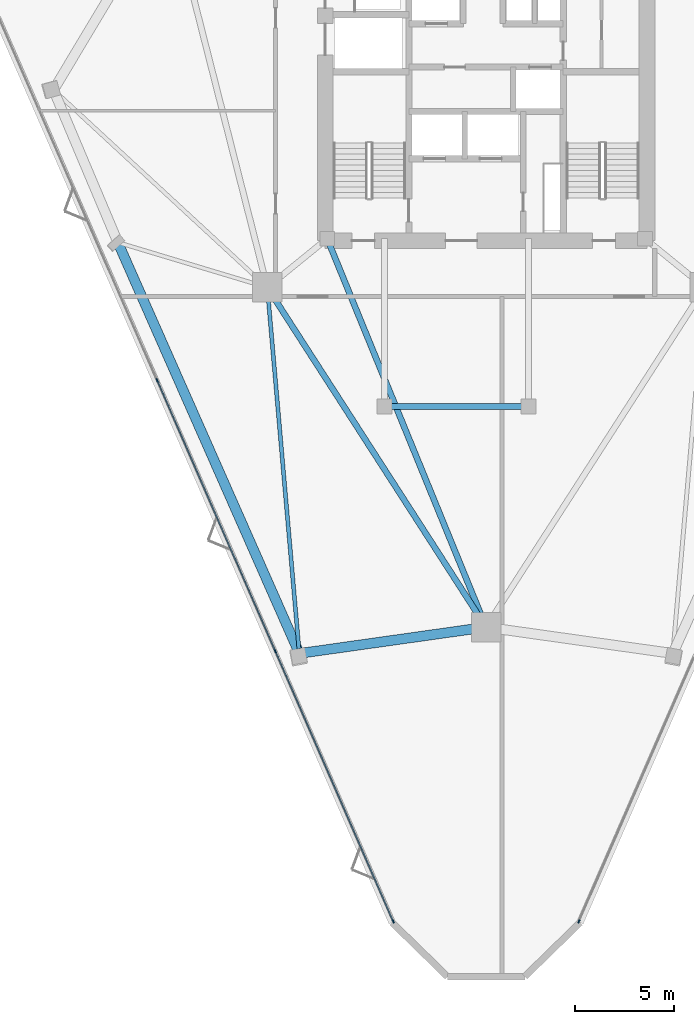
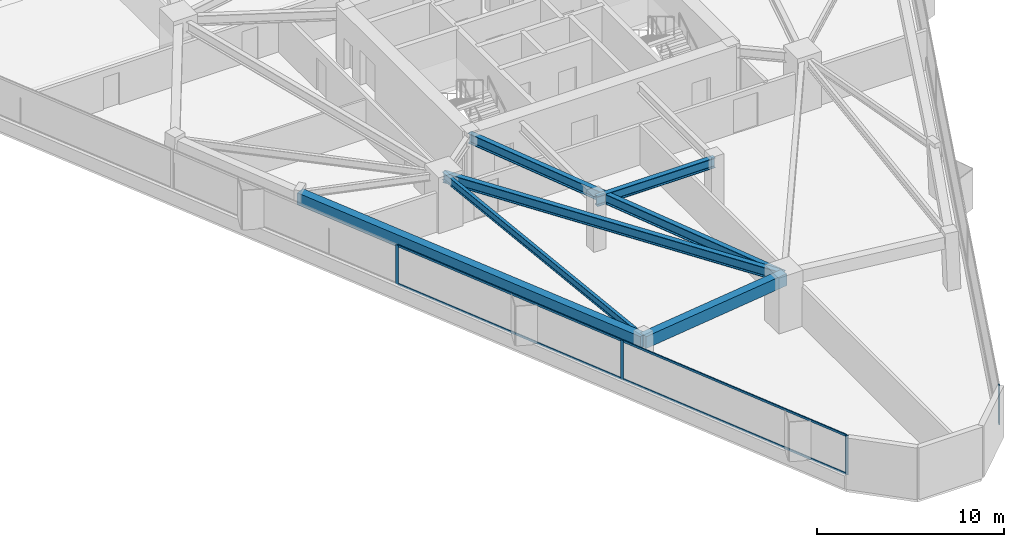
# One storey, part 2 of 16: 8 members, 6 beams, 2 elements without a shape of their own.
"""IFC4 building model written with IfcOpenShell, lengths in metres."""

from ifc_helpers import new_model, si_unit, direction, frame, origin, origin_2d, place, context, subcontext, project, spatial, rectangle, i_section, extrude, material, layer, layer_set, material_profile, profile_set, type_object, element, aggregate, save


model = new_model("IFC4")

# Units and contexts
model_context = context("Model", 3, precision=1e-05, world=origin(), true_north=direction((0.0, 1.0)))
body_context = subcontext(model_context, "Body", "Model", "MODEL_VIEW")
ifc_project = project(units=[si_unit("LENGTHUNIT", "METRE"), si_unit("AREAUNIT", "SQUARE_METRE"), si_unit("VOLUMEUNIT", "CUBIC_METRE"), si_unit("PLANEANGLEUNIT", "RADIAN"), si_unit("MASSUNIT", "GRAM", prefix="KILO")], contexts=[model_context])

# Site, building, storey
site_placement = place(None, origin())
site = spatial("IfcSite", under=ifc_project, at=site_placement, CompositionType="ELEMENT")
building_placement = place(site_placement, origin())
building = spatial("IfcBuilding", under=site, at=building_placement, Name="Talyreon Biosciences Tower", CompositionType="ELEMENT")
storey_placement = place(building_placement, frame((0.0, 0.0, 134.5)))
storey = spatial("IfcBuildingStorey", under=building, at=storey_placement, Name="L35", CompositionType="ELEMENT", Elevation=134.5)

# Curtain wall, members
ifc_material_1 = material(Name="Thermally broken aluminium and low-E glazing", Category="aluminium")
ifc_layer = layer(ifc_material_1, 0.18505859375)
ifc_layer_set = layer_set([ifc_layer], Name="Thermally broken aluminium and low-E glazing")
curtain_wall_type = type_object("IfcCurtainWallType", Name="CurtainWall_Zone3Bioprocess", PredefinedType="NOTDEFINED", material=ifc_layer_set)
curtain_wall_1_placement = place(storey_placement, origin())
curtain_wall_1 = element("IfcCurtainWall", 1, at=curtain_wall_1_placement, inside=storey, type_object=curtain_wall_type, Name="L35 Unitised Curtain Wall FCW-L35-00", PredefinedType="NOTDEFINED")
ifc_material_2 = material(Name="Anodised thermally broken aluminium", Category="aluminium")
ifc_material_profile_1 = material_profile(ifc_material_2, rectangle(XDim=0.06494140625, YDim=0.179931640625, at=origin_2d()), Name="ALUM MULLION 65x180")
ifc_profile_set_1 = profile_set([ifc_material_profile_1], Name="Anodised thermally broken aluminium")
member_type_1 = type_object("IfcMemberType", Name="CWMullion_65x180", PredefinedType="MULLION", material=ifc_profile_set_1)
member_1_placement = place(storey_placement, frame((61.294189453125, 26.75537109375, 0.81005859375), z_axis=(0.0, 0.0, 1.0), x_axis=(-0.916566441856, -0.399882429801, 0.0)))
member_1 = element("IfcMember", 2, at=member_1_placement, type_object=member_type_1, Name="CW4 mullion 1", PredefinedType="MULLION", context=body_context, shape_type="SweptSolid", body=[
    extrude(rectangle(XDim=0.06494140625, YDim=0.179931640625, at=origin_2d()), origin(), (0.0, 0.0, 1.0), 2.56494140625),
])
member_2_placement = place(storey_placement, frame((55.31787109375, 40.453857421875, 0.81005859375), z_axis=(0.0, 0.0, 1.0), x_axis=(-0.916566441856, -0.399882429801, 0.0)))
member_2 = element("IfcMember", 3, at=member_2_placement, type_object=member_type_1, Name="CW4 mullion 2", PredefinedType="MULLION", context=body_context, shape_type="SweptSolid", body=[
    extrude(rectangle(XDim=0.06494140625, YDim=0.179931640625, at=origin_2d()), origin(), (0.0, 0.0, 1.0), 2.56494140625),
])
member_3_placement = place(storey_placement, frame((49.328369140625, 54.18212890625, 0.81005859375), z_axis=(0.0, 0.0, 1.0), x_axis=(-0.916566441856, -0.399882429801, 0.0)))
member_3 = element("IfcMember", 4, at=member_3_placement, type_object=member_type_1, Name="CW4 mullion 3", PredefinedType="MULLION", context=body_context, shape_type="SweptSolid", body=[
    extrude(rectangle(XDim=0.06494140625, YDim=0.179931640625, at=origin_2d()), origin(), (0.0, 0.0, 1.0), 2.56494140625),
])

# Curtain wall, member
curtain_wall_2_placement = place(storey_placement, origin())
curtain_wall_2 = element("IfcCurtainWall", 5, at=curtain_wall_2_placement, inside=storey, type_object=curtain_wall_type, Name="L35 Unitised Curtain Wall FCW-L35-08", PredefinedType="NOTDEFINED")
member_4_placement = place(storey_placement, frame((70.705810546875, 26.75537109375, 0.81005859375), z_axis=(0.0, 0.0, 1.0), x_axis=(0.916566441856, -0.399882429801, 0.0)))
member_4 = element("IfcMember", 6, at=member_4_placement, type_object=member_type_1, Name="CW4 mullion 5", PredefinedType="MULLION", context=body_context, shape_type="SweptSolid", body=[
    extrude(rectangle(XDim=0.06494140625, YDim=0.179931640625, at=origin_2d()), origin(), (0.0, 0.0, 1.0), 2.56494140625),
])
aggregate(curtain_wall_2, [member_4])

# Member
ifc_material_profile_2 = material_profile(ifc_material_2, rectangle(XDim=0.06494140625, YDim=0.139892578125, at=origin_2d()), Name="ALUM TRANSOM 65x140")
ifc_profile_set_2 = profile_set([ifc_material_profile_2], Name="Anodised thermally broken aluminium")
member_type_2 = type_object("IfcMemberType", Name="CWTransom_65x140", PredefinedType="USERDEFINED", material=ifc_profile_set_2)
member_5_placement = place(storey_placement, frame((61.28125, 26.78515625, 0.842529296875), z_axis=(-0.39988306059, 0.916566166653, 0.0), x_axis=(-0.916566166653, -0.39988306059, 0.0)))
member_5 = element("IfcMember", 7, at=member_5_placement, type_object=member_type_2, Name="CW4 transom 1.1", ObjectType="TRANSOM", PredefinedType="USERDEFINED", context=body_context, shape_type="SweptSolid", body=[
    extrude(rectangle(XDim=0.06494140625, YDim=0.139892578125, at=origin_2d()), origin(), (0.0, 0.0, 1.0), 14.88037109375),
])

member_6_placement = place(storey_placement, frame((61.28125, 26.78515625, 3.342529296875), z_axis=(-0.39988306059, 0.916566166653, 0.0), x_axis=(-0.916566166653, -0.39988306059, 0.0)))
member_6 = element("IfcMember", 8, at=member_6_placement, type_object=member_type_2, Name="CW4 transom 1.2", ObjectType="TRANSOM", PredefinedType="USERDEFINED", context=body_context, shape_type="SweptSolid", body=[
    extrude(rectangle(XDim=0.06494140625, YDim=0.139892578125, at=origin_2d()), origin(), (0.0, 0.0, 1.0), 14.88037109375),
])

member_7_placement = place(storey_placement, frame((55.3046875, 40.483642578125, 0.842529296875), z_axis=(-0.399879943614, 0.916567526533, 0.0), x_axis=(-0.916567526533, -0.399879943614, 0.0)))
member_7 = element("IfcMember", 9, at=member_7_placement, type_object=member_type_2, Name="CW4 transom 2.1", ObjectType="TRANSOM", PredefinedType="USERDEFINED", context=body_context, shape_type="SweptSolid", body=[
    extrude(rectangle(XDim=0.06494140625, YDim=0.139892578125, at=origin_2d()), origin(), (0.0, 0.0, 1.0), 14.912841796875),
])

member_8_placement = place(storey_placement, frame((55.3046875, 40.483642578125, 3.342529296875), z_axis=(-0.399879943614, 0.916567526533, 0.0), x_axis=(-0.916567526533, -0.399879943614, 0.0)))
member_8 = element("IfcMember", 10, at=member_8_placement, type_object=member_type_2, Name="CW4 transom 2.2", ObjectType="TRANSOM", PredefinedType="USERDEFINED", context=body_context, shape_type="SweptSolid", body=[
    extrude(rectangle(XDim=0.06494140625, YDim=0.139892578125, at=origin_2d()), origin(), (0.0, 0.0, 1.0), 14.912841796875),
])

aggregate(curtain_wall_1, [member_1, member_2, member_3, member_5, member_6, member_7, member_8])

# Beams
ifc_material_3 = material(Name="Precast concrete C45/55", Category="concrete")
ifc_material_profile_3 = material_profile(ifc_material_3, rectangle(XDim=0.5, YDim=0.780029296875, at=origin_2d()), Name="RCB 500x780")
ifc_profile_set_3 = profile_set([ifc_material_profile_3], Name="Precast concrete C45/55")
beam_type_1 = type_object("IfcBeamType", Name="ExpressedSpandrel_500x780", PredefinedType="SPANDREL", material=ifc_profile_set_3)
beam_1_placement = place(storey_placement, frame((47.342529296875, 61.15966796875, 2.985107421875), z_axis=(0.403901561463, -0.914802453346, 0.0), x_axis=(0.914802453346, 0.403901561463, 0.0)))
element("IfcBeam", 11, at=beam_1_placement, inside=storey, type_object=beam_type_1, Name="L35 Expressed Horizontal Concrete Spandrel 11", PredefinedType="SPANDREL", context=body_context, shape_type="SweptSolid", body=[
    extrude(rectangle(XDim=0.5, YDim=0.780029296875, at=origin_2d()), origin(), (0.0, 0.0, 1.0), 22.766845703125),
])
beam_2_placement = place(storey_placement, frame((56.5380859375, 40.33251953125, 2.985107421875), z_axis=(0.990200346708, 0.139654120526, 0.0), x_axis=(-0.139654120526, 0.990200346708, 0.0)))
element("IfcBeam", 12, at=beam_2_placement, inside=storey, type_object=beam_type_1, Name="L35 Expressed Horizontal Concrete Spandrel 12", PredefinedType="SPANDREL", context=body_context, shape_type="SweptSolid", body=[
    extrude(rectangle(XDim=0.5, YDim=0.780029296875, at=origin_2d()), origin(), (0.0, 0.0, 1.0), 9.5556640625),
])
ifc_material_4 = material(Name="Steel SM355", Category="steel")
ifc_material_profile_4 = material_profile(ifc_material_4, i_section(OverallWidth=0.300048828125, OverallDepth=0.64990234375, WebThickness=0.01611328125, FlangeThickness=0.031005859375, FilletRadius=0.027099609375, at=origin_2d()), Name="HE650B")
ifc_profile_set_4 = profile_set([ifc_material_profile_4], Name="Steel SM355")
beam_type_2 = type_object("IfcBeamType", Name="SteelBeam_HE650B", PredefinedType="BEAM", material=ifc_profile_set_4)
beam_3_placement = place(storey_placement, frame((54.913818359375, 58.88037109375, 3.050048828125), z_axis=(0.541463723609, -0.840724114092, 0.0), x_axis=(0.840724114092, 0.541463723609, 0.0)))
element("IfcBeam", 13, at=beam_3_placement, inside=storey, type_object=beam_type_2, Name="L35 Mega-Ring Girder 6", PredefinedType="BEAM", context=body_context, shape_type="SweptSolid", body=[
    extrude(i_section(OverallWidth=0.300048828125, OverallDepth=0.64990234375, WebThickness=0.01611328125, FlangeThickness=0.031005859375, FilletRadius=0.027099609375, at=origin_2d()), origin(), (0.0, 0.0, 1.0), 20.474365234375),
])
beam_4_placement = place(storey_placement, frame((57.949951171875, 61.35009765625, 3.050048828125), z_axis=(0.378547014545, -0.925582064314, 0.0), x_axis=(0.925582064314, 0.378547014545, 0.0)))
element("IfcBeam", 14, at=beam_4_placement, inside=storey, type_object=beam_type_2, Name="L35 Radial Primary Girder 1", PredefinedType="BEAM", context=body_context, shape_type="SweptSolid", body=[
    extrude(i_section(OverallWidth=0.300048828125, OverallDepth=0.64990234375, WebThickness=0.01611328125, FlangeThickness=0.031005859375, FilletRadius=0.027099609375, at=origin_2d()), origin(), (0.0, 0.0, 1.0), 21.265625),
])
beam_5_placement = place(storey_placement, frame((60.85009765625, 52.840087890625, 3.050048828125), z_axis=(1.0, 0.0, 0.0), x_axis=(0.0, 1.0, 0.0)))
element("IfcBeam", 15, at=beam_5_placement, inside=storey, type_object=beam_type_2, Name="L35 Crown Shaft Spine Girder S", PredefinedType="BEAM", context=body_context, shape_type="SweptSolid", body=[
    extrude(i_section(OverallWidth=0.300048828125, OverallDepth=0.64990234375, WebThickness=0.01611328125, FlangeThickness=0.031005859375, FilletRadius=0.027099609375, at=origin_2d()), origin(), (0.0, 0.0, 1.0), 7.2998046875),
])
ifc_material_profile_5 = material_profile(ifc_material_4, i_section(OverallWidth=0.199951171875, OverallDepth=0.5, WebThickness=0.01025390625, FlangeThickness=0.01611328125, FilletRadius=0.02099609375, at=origin_2d()), Name="IPE500")
ifc_profile_set_5 = profile_set([ifc_material_profile_5], Name="Steel SM355")
beam_type_3 = type_object("IfcBeamType", Name="SteelJoist_IPE500", PredefinedType="JOIST", material=ifc_profile_set_5)
beam_6_placement = place(storey_placement, frame((54.913818359375, 58.88037109375, 3.125), z_axis=(0.087237870534, -0.99618750943, 0.0), x_axis=(0.99618750943, 0.087237870534, 0.0)))
element("IfcBeam", 16, at=beam_6_placement, inside=storey, type_object=beam_type_3, Name="L35 Radial Composite Floor Joist PC-SW2", PredefinedType="JOIST", context=body_context, shape_type="SweptSolid", body=[
    extrude(i_section(OverallWidth=0.199951171875, OverallDepth=0.5, WebThickness=0.01025390625, FlangeThickness=0.01611328125, FilletRadius=0.02099609375, at=origin_2d()), origin(), (0.0, 0.0, 1.0), 18.618896484375),
])

save(model, "model.ifc")
